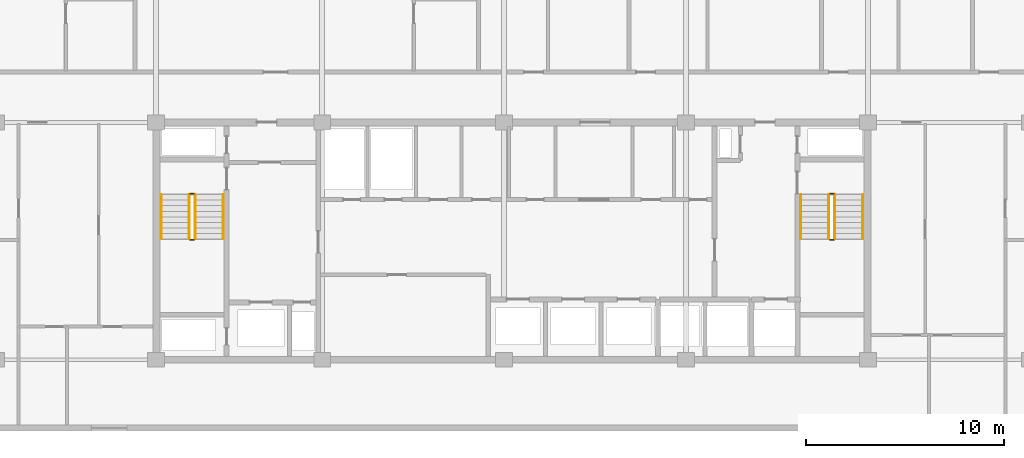
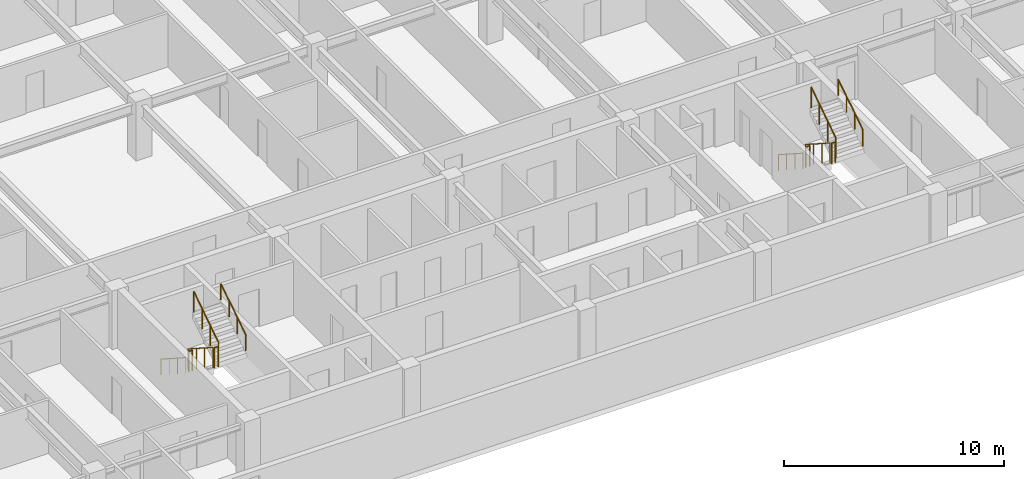
# One storey, part 20 of 21: 12 railings.
"""IFC4 building model written with IfcOpenShell, lengths in metres."""

from ifc_helpers import new_model, si_unit, direction, frame, origin, origin_2d, place, context, subcontext, project, spatial, circle, extrude, material, type_object, element, save


model = new_model("IFC4")

# Units and contexts
model_context = context("Model", 3, precision=1e-05, world=origin(), true_north=direction((0.0, 1.0)))
body_context = subcontext(model_context, "Body", "Model", "MODEL_VIEW")
ifc_project = project(units=[si_unit("LENGTHUNIT", "METRE"), si_unit("AREAUNIT", "SQUARE_METRE"), si_unit("VOLUMEUNIT", "CUBIC_METRE"), si_unit("PLANEANGLEUNIT", "RADIAN"), si_unit("MASSUNIT", "GRAM", prefix="KILO")], contexts=[model_context])

# Site, building, storey
site_placement = place(None, origin())
site = spatial("IfcSite", under=ifc_project, at=site_placement, CompositionType="ELEMENT")
building_placement = place(site_placement, origin())
building = spatial("IfcBuilding", under=site, at=building_placement, Name="Korimba Cascade Residences", CompositionType="ELEMENT")
storey_placement = place(building_placement, frame((0.0, 0.0, 171.85009765625)))
storey = spatial("IfcBuildingStorey", under=building, at=storey_placement, Name="L49", CompositionType="ELEMENT", Elevation=171.85009765625)

# Railings
ifc_material_1 = material(Name="Painted Steel Stairwell Guardrail", Category="steel")
railing_type_1 = type_object("IfcRailingType", Name="RLG-ST-GD1150", PredefinedType="GUARDRAIL", material=ifc_material_1)
railing_1_placement = place(storey_placement, frame((77.77001953125, 63.550048828125, 0.180419921875)))
element("IfcRailing", 1, at=railing_1_placement, inside=storey, type_object=railing_type_1, Name="L49 ST-W1 stair guard 1", PredefinedType="GUARDRAIL", context=body_context, shape_type="SweptSolid", body=[
    extrude(circle(Radius=0.02392578125, at=origin_2d()), frame((0.0, 0.0, 1.1259765625), z_axis=(0.0, -0.840394893359, 0.541974559565), x_axis=(1.0, 0.0, 0.0)), (0.0, 0.0, 1.0), 2.665283203125),
    extrude(circle(Radius=0.02099609375, at=origin_2d()), origin(), (0.0, 0.0, 1.0), 1.101806640625),
    extrude(circle(Radius=0.02099609375, at=origin_2d()), frame((0.0, -0.74658203125, 0.4814453125)), (0.0, 0.0, 1.0), 1.101806640625),
    extrude(circle(Radius=0.02099609375, at=origin_2d()), frame((0.0, -1.493408203125, 0.963134765625)), (0.0, 0.0, 1.0), 1.101806640625),
    extrude(circle(Radius=0.02099609375, at=origin_2d()), frame((0.0, -2.239990234375, 1.444580078125)), (0.0, 0.0, 1.0), 1.101806640625),
])
railing_2_placement = place(storey_placement, frame((77.820068359375, 61.260009765625, 1.625)))
element("IfcRailing", 2, at=railing_2_placement, inside=storey, type_object=railing_type_1, Name="L49 ST-W1 stair guard 2", PredefinedType="GUARDRAIL", context=body_context, shape_type="SweptSolid", body=[
    extrude(circle(Radius=0.02392578125, at=origin_2d()), frame((0.0, 0.0, 1.1259765625), z_axis=(1.0, 0.0, 0.0), x_axis=(0.0, 1.0, 0.0)), (0.0, 0.0, 1.0), 0.199951171875),
    extrude(circle(Radius=0.02099609375, at=origin_2d()), origin(), (0.0, 0.0, 1.0), 1.101806640625),
    extrude(circle(Radius=0.02099609375, at=origin_2d()), frame((0.199951171875, 0.0, 0.0)), (0.0, 0.0, 1.0), 1.101806640625),
])
railing_3_placement = place(storey_placement, frame((78.070068359375, 61.31005859375, 1.805419921875)))
element("IfcRailing", 3, at=railing_3_placement, inside=storey, type_object=railing_type_1, Name="L49 ST-W1 stair guard 3", PredefinedType="GUARDRAIL", context=body_context, shape_type="SweptSolid", body=[
    extrude(circle(Radius=0.02392578125, at=origin_2d()), frame((0.0, 0.0, 1.1259765625), z_axis=(0.0, 0.840394893359, 0.541974559565), x_axis=(-1.0, 0.0, 0.0)), (0.0, 0.0, 1.0), 2.665283203125),
    extrude(circle(Radius=0.02099609375, at=origin_2d()), origin(), (0.0, 0.0, 1.0), 1.101806640625),
    extrude(circle(Radius=0.02099609375, at=origin_2d()), frame((0.0, 0.74658203125, 0.4814453125)), (0.0, 0.0, 1.0), 1.101806640625),
    extrude(circle(Radius=0.02099609375, at=origin_2d()), frame((0.0, 1.493408203125, 0.963134765625)), (0.0, 0.0, 1.0), 1.101806640625),
    extrude(circle(Radius=0.02099609375, at=origin_2d()), frame((0.0, 2.239990234375, 1.444580078125)), (0.0, 0.0, 1.0), 1.101806640625),
])
railing_4_placement = place(storey_placement, frame((77.820068359375, 63.60009765625, 0.0)))
element("IfcRailing", 4, at=railing_4_placement, inside=storey, type_object=railing_type_1, Name="L49 ST-W1 stair guard 4", PredefinedType="GUARDRAIL", context=body_context, shape_type="SweptSolid", body=[
    extrude(circle(Radius=0.02392578125, at=origin_2d()), frame((0.0, 0.0, 1.1259765625), z_axis=(1.0, 0.0, 0.0), x_axis=(0.0, 1.0, 0.0)), (0.0, 0.0, 1.0), 0.199951171875),
    extrude(circle(Radius=0.02099609375, at=origin_2d()), origin(), (0.0, 0.0, 1.0), 1.101806640625),
    extrude(circle(Radius=0.02099609375, at=origin_2d()), frame((0.199951171875, 0.0, 0.0)), (0.0, 0.0, 1.0), 1.101806640625),
])
railing_5_placement = place(storey_placement, frame((110.1298828125, 63.550048828125, 0.180419921875)))
element("IfcRailing", 5, at=railing_5_placement, inside=storey, type_object=railing_type_1, Name="L49 ST-W2 stair guard 1", PredefinedType="GUARDRAIL", context=body_context, shape_type="SweptSolid", body=[
    extrude(circle(Radius=0.02392578125, at=origin_2d()), frame((0.0, 0.0, 1.1259765625), z_axis=(0.0, -0.840394893359, 0.541974559565), x_axis=(1.0, 0.0, 0.0)), (0.0, 0.0, 1.0), 2.665283203125),
    extrude(circle(Radius=0.02099609375, at=origin_2d()), origin(), (0.0, 0.0, 1.0), 1.101806640625),
    extrude(circle(Radius=0.02099609375, at=origin_2d()), frame((0.0, -0.74658203125, 0.4814453125)), (0.0, 0.0, 1.0), 1.101806640625),
    extrude(circle(Radius=0.02099609375, at=origin_2d()), frame((0.0, -1.493408203125, 0.963134765625)), (0.0, 0.0, 1.0), 1.101806640625),
    extrude(circle(Radius=0.02099609375, at=origin_2d()), frame((0.0, -2.239990234375, 1.444580078125)), (0.0, 0.0, 1.0), 1.101806640625),
])
railing_6_placement = place(storey_placement, frame((110.179931640625, 61.260009765625, 1.625)))
element("IfcRailing", 6, at=railing_6_placement, inside=storey, type_object=railing_type_1, Name="L49 ST-W2 stair guard 2", PredefinedType="GUARDRAIL", context=body_context, shape_type="SweptSolid", body=[
    extrude(circle(Radius=0.02392578125, at=origin_2d()), frame((0.0, 0.0, 1.1259765625), z_axis=(1.0, 0.0, 0.0), x_axis=(0.0, 1.0, 0.0)), (0.0, 0.0, 1.0), 0.199951171875),
    extrude(circle(Radius=0.02099609375, at=origin_2d()), origin(), (0.0, 0.0, 1.0), 1.101806640625),
    extrude(circle(Radius=0.02099609375, at=origin_2d()), frame((0.199951171875, 0.0, 0.0)), (0.0, 0.0, 1.0), 1.101806640625),
])
railing_7_placement = place(storey_placement, frame((110.429931640625, 61.31005859375, 1.805419921875)))
element("IfcRailing", 7, at=railing_7_placement, inside=storey, type_object=railing_type_1, Name="L49 ST-W2 stair guard 3", PredefinedType="GUARDRAIL", context=body_context, shape_type="SweptSolid", body=[
    extrude(circle(Radius=0.02392578125, at=origin_2d()), frame((0.0, 0.0, 1.1259765625), z_axis=(0.0, 0.840394893359, 0.541974559565), x_axis=(-1.0, 0.0, 0.0)), (0.0, 0.0, 1.0), 2.665283203125),
    extrude(circle(Radius=0.02099609375, at=origin_2d()), origin(), (0.0, 0.0, 1.0), 1.101806640625),
    extrude(circle(Radius=0.02099609375, at=origin_2d()), frame((0.0, 0.74658203125, 0.4814453125)), (0.0, 0.0, 1.0), 1.101806640625),
    extrude(circle(Radius=0.02099609375, at=origin_2d()), frame((0.0, 1.493408203125, 0.963134765625)), (0.0, 0.0, 1.0), 1.101806640625),
    extrude(circle(Radius=0.02099609375, at=origin_2d()), frame((0.0, 2.239990234375, 1.444580078125)), (0.0, 0.0, 1.0), 1.101806640625),
])
railing_8_placement = place(storey_placement, frame((110.179931640625, 63.60009765625, 0.0)))
element("IfcRailing", 8, at=railing_8_placement, inside=storey, type_object=railing_type_1, Name="L49 ST-W2 stair guard 4", PredefinedType="GUARDRAIL", context=body_context, shape_type="SweptSolid", body=[
    extrude(circle(Radius=0.02392578125, at=origin_2d()), frame((0.0, 0.0, 1.1259765625), z_axis=(1.0, 0.0, 0.0), x_axis=(0.0, 1.0, 0.0)), (0.0, 0.0, 1.0), 0.199951171875),
    extrude(circle(Radius=0.02099609375, at=origin_2d()), origin(), (0.0, 0.0, 1.0), 1.101806640625),
    extrude(circle(Radius=0.02099609375, at=origin_2d()), frame((0.199951171875, 0.0, 0.0)), (0.0, 0.0, 1.0), 1.101806640625),
])
ifc_material_2 = material(Name="Brushed Stainless Steel Handrail", Category="steel")
railing_type_2 = type_object("IfcRailingType", Name="RLG-ST-HR900", PredefinedType="HANDRAIL", material=ifc_material_2)
railing_9_placement = place(storey_placement, frame((76.35009765625, 63.550048828125, 0.36474609375)))
element("IfcRailing", 9, at=railing_9_placement, inside=storey, type_object=railing_type_2, Name="L49 ST-W1 stair handrail 1", PredefinedType="HANDRAIL", context=body_context, shape_type="SweptSolid", body=[
    extrude(circle(Radius=0.02392578125, at=origin_2d()), frame((0.0, 0.0, 0.8759765625), z_axis=(0.0, -0.840394893359, 0.541974559565), x_axis=(1.0, 0.0, 0.0)), (0.0, 0.0, 1.0), 2.665283203125),
    extrude(circle(Radius=0.02099609375, at=origin_2d()), origin(), (0.0, 0.0, 1.0), 0.851806640625),
    extrude(circle(Radius=0.02099609375, at=origin_2d()), frame((0.0, -0.74658203125, 0.4814453125)), (0.0, 0.0, 1.0), 0.851806640625),
    extrude(circle(Radius=0.02099609375, at=origin_2d()), frame((0.0, -1.493408203125, 0.963134765625)), (0.0, 0.0, 1.0), 0.851806640625),
    extrude(circle(Radius=0.02099609375, at=origin_2d()), frame((0.0, -2.239990234375, 1.444580078125)), (0.0, 0.0, 1.0), 0.851806640625),
])
railing_10_placement = place(storey_placement, frame((79.489990234375, 61.31005859375, 1.98974609375)))
element("IfcRailing", 10, at=railing_10_placement, inside=storey, type_object=railing_type_2, Name="L49 ST-W1 stair handrail 2", PredefinedType="HANDRAIL", context=body_context, shape_type="SweptSolid", body=[
    extrude(circle(Radius=0.02392578125, at=origin_2d()), frame((0.0, 0.0, 0.8759765625), z_axis=(0.0, 0.840394893359, 0.541974559565), x_axis=(-1.0, 0.0, 0.0)), (0.0, 0.0, 1.0), 2.665283203125),
    extrude(circle(Radius=0.02099609375, at=origin_2d()), origin(), (0.0, 0.0, 1.0), 0.851806640625),
    extrude(circle(Radius=0.02099609375, at=origin_2d()), frame((0.0, 0.74658203125, 0.4814453125)), (0.0, 0.0, 1.0), 0.851806640625),
    extrude(circle(Radius=0.02099609375, at=origin_2d()), frame((0.0, 1.493408203125, 0.963134765625)), (0.0, 0.0, 1.0), 0.851806640625),
    extrude(circle(Radius=0.02099609375, at=origin_2d()), frame((0.0, 2.239990234375, 1.444580078125)), (0.0, 0.0, 1.0), 0.851806640625),
])
railing_11_placement = place(storey_placement, frame((108.7099609375, 63.550048828125, 0.36474609375)))
element("IfcRailing", 11, at=railing_11_placement, inside=storey, type_object=railing_type_2, Name="L49 ST-W2 stair handrail 1", PredefinedType="HANDRAIL", context=body_context, shape_type="SweptSolid", body=[
    extrude(circle(Radius=0.02392578125, at=origin_2d()), frame((0.0, 0.0, 0.8759765625), z_axis=(0.0, -0.840394893359, 0.541974559565), x_axis=(1.0, 0.0, 0.0)), (0.0, 0.0, 1.0), 2.665283203125),
    extrude(circle(Radius=0.02099609375, at=origin_2d()), origin(), (0.0, 0.0, 1.0), 0.851806640625),
    extrude(circle(Radius=0.02099609375, at=origin_2d()), frame((0.0, -0.74658203125, 0.4814453125)), (0.0, 0.0, 1.0), 0.851806640625),
    extrude(circle(Radius=0.02099609375, at=origin_2d()), frame((0.0, -1.493408203125, 0.963134765625)), (0.0, 0.0, 1.0), 0.851806640625),
    extrude(circle(Radius=0.02099609375, at=origin_2d()), frame((0.0, -2.239990234375, 1.444580078125)), (0.0, 0.0, 1.0), 0.851806640625),
])
railing_12_placement = place(storey_placement, frame((111.85009765625, 61.31005859375, 1.98974609375)))
element("IfcRailing", 12, at=railing_12_placement, inside=storey, type_object=railing_type_2, Name="L49 ST-W2 stair handrail 2", PredefinedType="HANDRAIL", context=body_context, shape_type="SweptSolid", body=[
    extrude(circle(Radius=0.02392578125, at=origin_2d()), frame((0.0, 0.0, 0.8759765625), z_axis=(0.0, 0.840394893359, 0.541974559565), x_axis=(-1.0, 0.0, 0.0)), (0.0, 0.0, 1.0), 2.665283203125),
    extrude(circle(Radius=0.02099609375, at=origin_2d()), origin(), (0.0, 0.0, 1.0), 0.851806640625),
    extrude(circle(Radius=0.02099609375, at=origin_2d()), frame((0.0, 0.74658203125, 0.4814453125)), (0.0, 0.0, 1.0), 0.851806640625),
    extrude(circle(Radius=0.02099609375, at=origin_2d()), frame((0.0, 1.493408203125, 0.963134765625)), (0.0, 0.0, 1.0), 0.851806640625),
    extrude(circle(Radius=0.02099609375, at=origin_2d()), frame((0.0, 2.239990234375, 1.444580078125)), (0.0, 0.0, 1.0), 0.851806640625),
])

save(model, "model.ifc")
